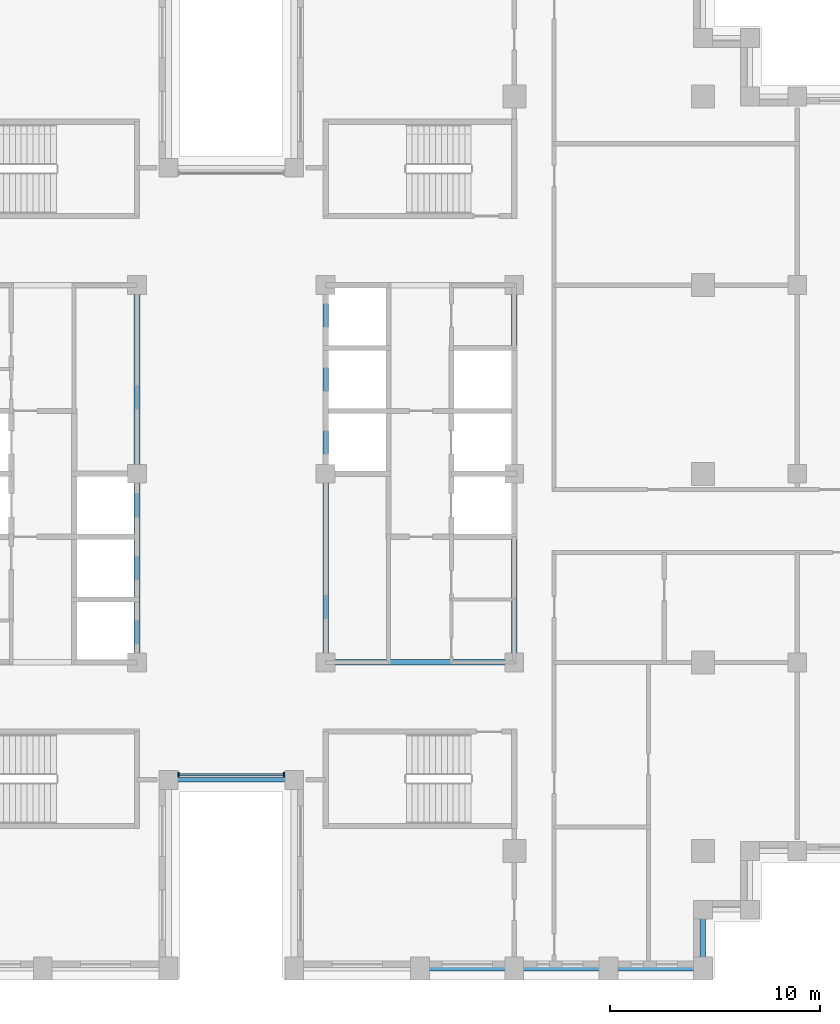
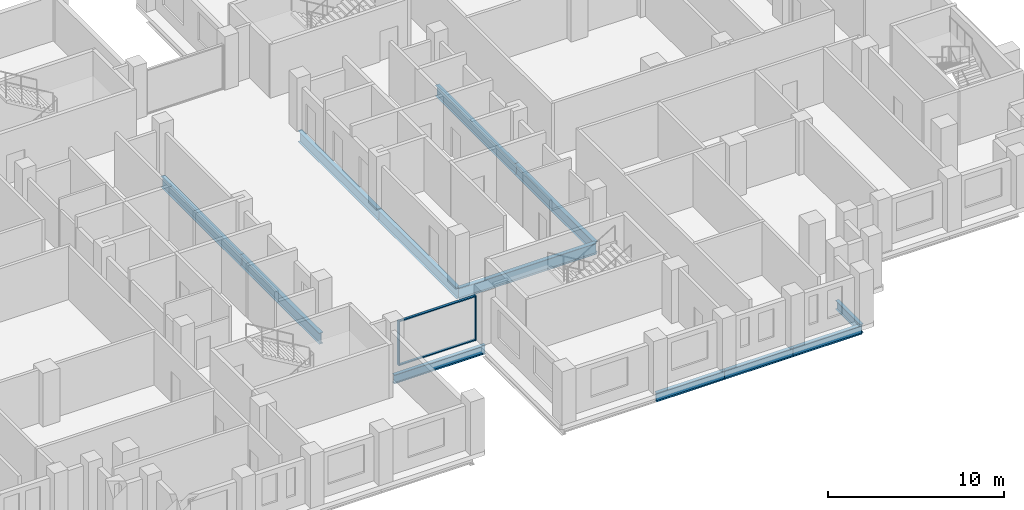
# One storey, part 2 of 15: 12 beams, 4 members, 1 element without a shape of its own.
"""IFC4 building model written with IfcOpenShell, lengths in metres."""

from ifc_helpers import new_model, si_unit, direction, frame, origin, origin_2d, place, context, subcontext, project, spatial, rectangle, i_section, extrude, material, layer, layer_set, material_profile, profile_set, type_object, element, aggregate, save


model = new_model("IFC4")

# Units and contexts
model_context = context("Model", 3, precision=1e-05, world=origin(), true_north=direction((0.0, 1.0)))
body_context = subcontext(model_context, "Body", "Model", "MODEL_VIEW")
ifc_project = project(units=[si_unit("LENGTHUNIT", "METRE"), si_unit("AREAUNIT", "SQUARE_METRE"), si_unit("VOLUMEUNIT", "CUBIC_METRE"), si_unit("PLANEANGLEUNIT", "RADIAN"), si_unit("MASSUNIT", "GRAM", prefix="KILO")], contexts=[model_context])

# Site, building, storey
site_placement = place(None, origin())
site = spatial("IfcSite", under=ifc_project, at=site_placement, CompositionType="ELEMENT")
building_placement = place(site_placement, origin())
building = spatial("IfcBuilding", under=site, at=building_placement, Name="Corbelhall Arena Tower", CompositionType="ELEMENT")
storey_placement = place(building_placement, frame((0.0, 0.0, 142.0)))
storey = spatial("IfcBuildingStorey", under=building, at=storey_placement, Name="L27", CompositionType="ELEMENT", Elevation=142.0)

# Curtain wall, members
ifc_material_1 = material(Name="Aluminium black anodised", Category="aluminium")
ifc_layer = layer(ifc_material_1, 0.199951171875)
ifc_layer_set = layer_set([ifc_layer], Name="EV-CW1 Slot back wall")
curtain_wall_type = type_object("IfcCurtainWallType", Name="EV-CW1 Slot back wall", PredefinedType="NOTDEFINED", material=ifc_layer_set)
curtain_wall_placement = place(storey_placement, origin())
curtain_wall = element("IfcCurtainWall", 1, at=curtain_wall_placement, inside=storey, type_object=curtain_wall_type, Name="Curtain wall CW1", PredefinedType="NOTDEFINED")
ifc_material_profile_1 = material_profile(ifc_material_1, rectangle(XDim=0.199951171875, YDim=0.074951171875, at=origin_2d()))
ifc_profile_set_1 = profile_set([ifc_material_profile_1], Name="Aluminium black anodised")
member_type_1 = type_object("IfcMemberType", Name="EV-CW1-MULLION", PredefinedType="MULLION", material=ifc_profile_set_1)
member_1_placement = place(storey_placement, frame((-2.512451171875, -14.35009765625, 0.0), z_axis=(0.0, 0.0, 1.0), x_axis=(0.0, 1.0, 0.0)))
member_1 = element("IfcMember", 2, at=member_1_placement, type_object=member_type_1, Name="CW1 mullion 1", PredefinedType="MULLION", context=body_context, shape_type="SweptSolid", body=[
    extrude(rectangle(XDim=0.199951171875, YDim=0.074951171875, at=origin_2d()), origin(), (0.0, 0.0, 1.0), 3.10009765625),
])
member_2_placement = place(storey_placement, frame((2.512451171875, -14.35009765625, 0.0), z_axis=(0.0, 0.0, 1.0), x_axis=(0.0, 1.0, 0.0)))
member_2 = element("IfcMember", 3, at=member_2_placement, type_object=member_type_1, Name="CW1 mullion 2", PredefinedType="MULLION", context=body_context, shape_type="SweptSolid", body=[
    extrude(rectangle(XDim=0.199951171875, YDim=0.074951171875, at=origin_2d()), origin(), (0.0, 0.0, 1.0), 3.10009765625),
])
ifc_material_profile_2 = material_profile(ifc_material_1, rectangle(XDim=0.14990234375, YDim=0.074951171875, at=origin_2d()))
ifc_profile_set_2 = profile_set([ifc_material_profile_2], Name="Aluminium black anodised")
member_type_2 = type_object("IfcMemberType", Name="EV-CW1-TRANSOM", PredefinedType="USERDEFINED", material=ifc_profile_set_2)
member_3_placement = place(storey_placement, frame((-2.47509765625, -14.35009765625, 0.03759765625), z_axis=(1.0, 0.0, 0.0), x_axis=(0.0, 1.0, 0.0)))
member_3 = element("IfcMember", 4, at=member_3_placement, type_object=member_type_2, Name="CW1 transom 1.1", ObjectType="transom", PredefinedType="USERDEFINED", context=body_context, shape_type="SweptSolid", body=[
    extrude(rectangle(XDim=0.14990234375, YDim=0.074951171875, at=origin_2d()), origin(), (0.0, 0.0, 1.0), 4.9501953125),
])
member_4_placement = place(storey_placement, frame((-2.47509765625, -14.35009765625, 3.0625), z_axis=(1.0, 0.0, 0.0), x_axis=(0.0, 1.0, 0.0)))
member_4 = element("IfcMember", 5, at=member_4_placement, type_object=member_type_2, Name="CW1 transom 1.2", ObjectType="transom", PredefinedType="USERDEFINED", context=body_context, shape_type="SweptSolid", body=[
    extrude(rectangle(XDim=0.14990234375, YDim=0.074951171875, at=origin_2d()), origin(), (0.0, 0.0, 1.0), 4.9501953125),
])
aggregate(curtain_wall, [member_1, member_2, member_3, member_4])

# Beams
ifc_material_2 = material(Name="Steel ASTM A992 Gr50", Category="steel")
ifc_material_profile_3 = material_profile(ifc_material_2, i_section(OverallWidth=0.2666015625, OverallDepth=0.761962890625, WebThickness=0.014404296875, FlangeThickness=0.021484375, at=origin_2d()))
ifc_profile_set_3 = profile_set([ifc_material_profile_3], Name="Steel ASTM A992 Gr50")
beam_type_1 = type_object("IfcBeamType", Name="ST-BEAM-W30x116", PredefinedType="BEAM", material=ifc_profile_set_3)
for number, where, z_axis, x_axis, name in (
    (6, (-4.5, -9.0, -0.680908203125), (0.0, 1.0, 0.0), (-1.0, 0.0, 0.0), "Beam CEW 3"),
    (7, (-4.5, 0.0, -0.680908203125), (0.0, 1.0, 0.0), (-1.0, 0.0, 0.0), "Beam CEW 4"),
    (8, (4.5, -9.0, -0.680908203125), (0.0, 1.0, 0.0), (-1.0, 0.0, 0.0), "Beam CEE 7"),
    (9, (4.5, 0.0, -0.680908203125), (0.0, 1.0, 0.0), (-1.0, 0.0, 0.0), "Beam CEE 8"),
    (10, (13.5, -9.0, -0.680908203125), (0.0, 1.0, 0.0), (-1.0, 0.0, 0.0), "Beam CEE 9"),
    (11, (13.5, 0.0, -0.680908203125), (0.0, 1.0, 0.0), (-1.0, 0.0, 0.0), "Beam CEE 10"),
    (12, (4.5, -9.0, -0.680908203125), (1.0, 0.0, 0.0), (0.0, 1.0, 0.0), "Beam CEE 11"),
):
    element("IfcBeam", number, at=place(storey_placement, frame(where, z_axis=z_axis, x_axis=x_axis)), inside=storey, type_object=beam_type_1, Name=name, PredefinedType="BEAM", context=body_context, shape_type="SweptSolid", body=[
        extrude(i_section(OverallWidth=0.2666015625, OverallDepth=0.761962890625, WebThickness=0.014404296875, FlangeThickness=0.021484375, at=origin_2d()), origin(), (0.0, 0.0, 1.0), 9.0),
    ])
ifc_material_profile_4 = material_profile(ifc_material_2, i_section(OverallWidth=0.22900390625, OverallDepth=0.612060546875, WebThickness=0.011962890625, FlangeThickness=0.01953125, at=origin_2d()))
ifc_profile_set_4 = profile_set([ifc_material_profile_4], Name="Steel ASTM A992 Gr50")
beam_type_2 = type_object("IfcBeamType", Name="ST-SPANDREL-W24x84", PredefinedType="SPANDREL", material=ifc_profile_set_4)
for number, where, z_axis, x_axis, name in (
    (13, (13.5, -23.60009765625, -0.60595703125), (-1.0, 0.0, 0.0), (0.0, -1.0, 0.0), "Beam SP 29"),
    (14, (18.0, -23.60009765625, -0.60595703125), (-1.0, 0.0, 0.0), (0.0, -1.0, 0.0), "Beam SP 30"),
    (15, (22.5, -23.60009765625, -0.60595703125), (-1.0, 0.0, 0.0), (0.0, -1.0, 0.0), "Beam SP 31"),
):
    element("IfcBeam", number, at=place(storey_placement, frame(where, z_axis=z_axis, x_axis=x_axis)), inside=storey, type_object=beam_type_2, Name=name, PredefinedType="SPANDREL", context=body_context, shape_type="SweptSolid", body=[
        extrude(i_section(OverallWidth=0.22900390625, OverallDepth=0.612060546875, WebThickness=0.011962890625, FlangeThickness=0.01953125, at=origin_2d()), origin(), (0.0, 0.0, 1.0), 4.5),
    ])
beam_1_placement = place(storey_placement, frame((3.0, -14.60009765625, -0.60595703125), z_axis=(-1.0, 0.0, 0.0), x_axis=(0.0, -1.0, 0.0)))
element("IfcBeam", 16, at=beam_1_placement, inside=storey, type_object=beam_type_2, Name="Beam SP 41", PredefinedType="SPANDREL", context=body_context, shape_type="SweptSolid", body=[
    extrude(i_section(OverallWidth=0.22900390625, OverallDepth=0.612060546875, WebThickness=0.011962890625, FlangeThickness=0.01953125, at=origin_2d()), origin(), (0.0, 0.0, 1.0), 6.0),
])
beam_2_placement = place(storey_placement, frame((22.5, -20.800048828125, -0.60595703125), z_axis=(0.0, -1.0, 0.0), x_axis=(1.0, 0.0, 0.0)))
element("IfcBeam", 17, at=beam_2_placement, inside=storey, type_object=beam_type_2, Name="Beam SP 49", PredefinedType="SPANDREL", context=body_context, shape_type="SweptSolid", body=[
    extrude(i_section(OverallWidth=0.22900390625, OverallDepth=0.612060546875, WebThickness=0.011962890625, FlangeThickness=0.01953125, at=origin_2d()), origin(), (0.0, 0.0, 1.0), 2.800048828125),
])

save(model, "model.ifc")
